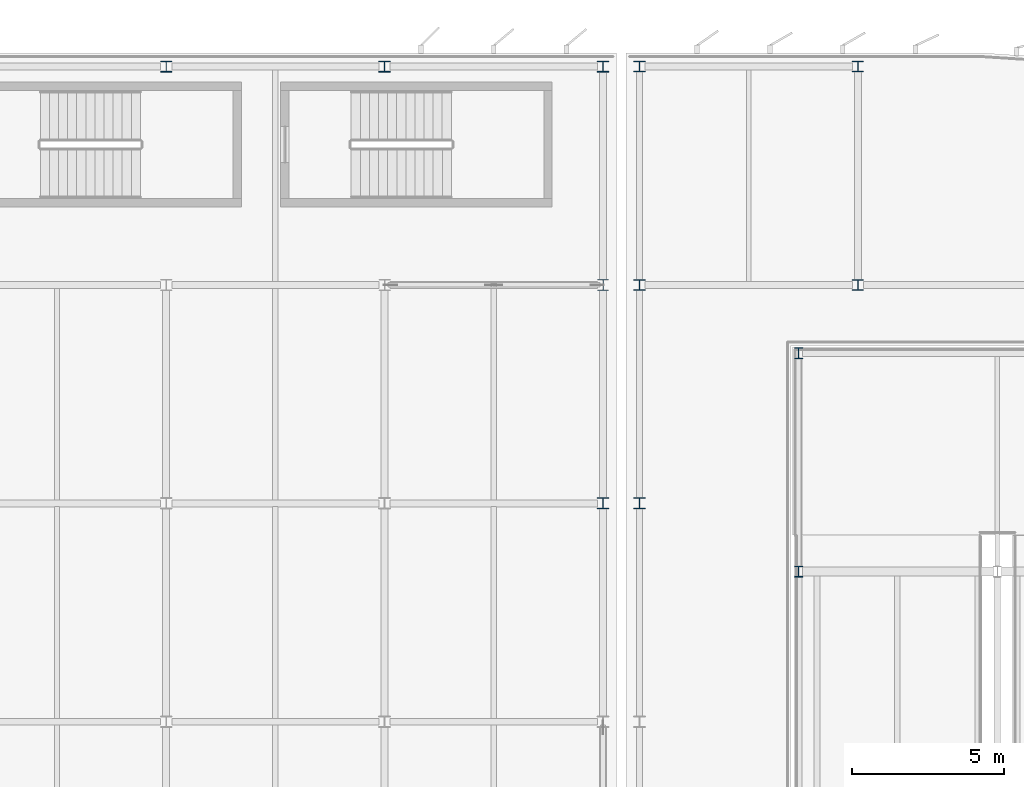
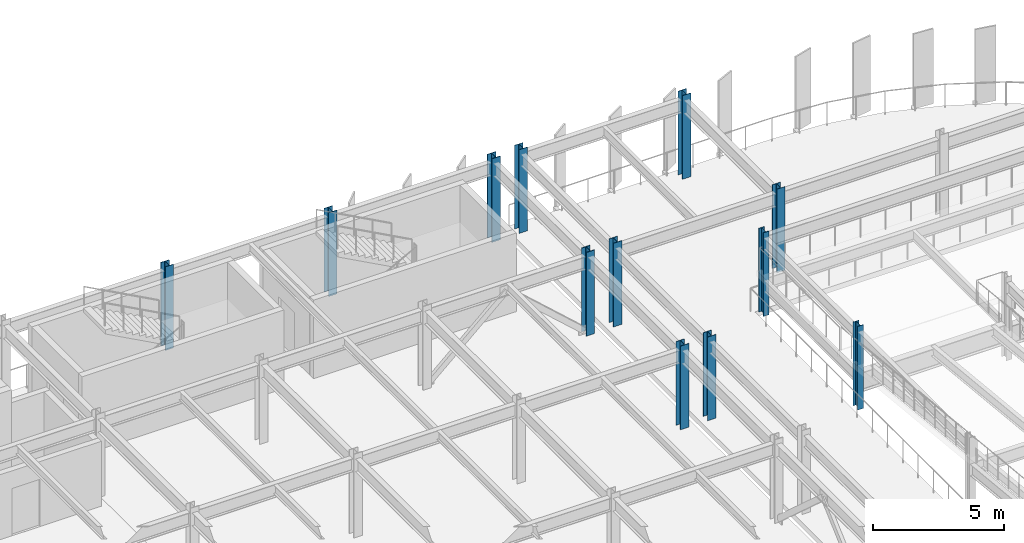
# One storey, part 8 of 52: 12 columns.
"""IFC4 building model written with IfcOpenShell, lengths in metres."""

from ifc_helpers import new_model, si_unit, direction, frame, origin, origin_2d, place, context, subcontext, project, spatial, i_section, extrude, material, material_profile, profile_set, type_object, element, save


model = new_model("IFC4")

# Units and contexts
model_context = context("Model", 3, precision=1e-05, world=origin(), true_north=direction((0.0, 1.0)))
body_context = subcontext(model_context, "Body", "Model", "MODEL_VIEW")
ifc_project = project(units=[si_unit("LENGTHUNIT", "METRE"), si_unit("AREAUNIT", "SQUARE_METRE"), si_unit("VOLUMEUNIT", "CUBIC_METRE"), si_unit("PLANEANGLEUNIT", "RADIAN"), si_unit("MASSUNIT", "GRAM", prefix="KILO")], contexts=[model_context])

# Site, building, storey
site_placement = place(None, origin())
site = spatial("IfcSite", under=ifc_project, at=site_placement, CompositionType="ELEMENT")
building_placement = place(site_placement, origin())
building = spatial("IfcBuilding", under=site, at=building_placement, Name="Vaelcorin Mobility Hub", CompositionType="ELEMENT")
storey_placement = place(building_placement, frame((0.0, 0.0, 13.199951171875)))
storey = spatial("IfcBuildingStorey", under=building, at=storey_placement, Name="L03", CompositionType="ELEMENT", Elevation=13.199951171875)

# Columns
ifc_material = material(Name="Steel ASTM A992 Grade 50", Category="steel")
ifc_material_profile_1 = material_profile(ifc_material, i_section(OverallWidth=0.37109375, OverallDepth=0.363037109375, WebThickness=0.01318359375, FlangeThickness=0.021728515625, FilletRadius=0.014892578125, at=origin_2d()), Name="W14X109")
ifc_profile_set_1 = profile_set([ifc_material_profile_1], Name="Steel ASTM A992 Grade 50")
column_type_1 = type_object("IfcColumnType", Name="COL-W14X109", PredefinedType="COLUMN", material=ifc_profile_set_1)
for number, where, z_axis, x_axis, name in (
    (1, (108.0, 120.0, 0.0), (0.0, 0.0, 1.0), (1.0, 0.0, 0.0), "Column V4-X11Y07 L03"),
    (2, (115.199951171875, 120.0, 0.0), (0.0, 0.0, 1.0), (1.0, 0.0, 0.0), "Column V4-X12Y07 L03"),
    (3, (122.39990234375, 105.60009765625, 0.0), (0.0, 0.0, 1.0), (1.0, 0.0, 0.0), "Column V4-X13Y05 L03"),
    (4, (122.39990234375, 120.0, 0.0), (0.0, 0.0, 1.0), (1.0, 0.0, 0.0), "Column V4-X13Y07 L03"),
):
    element("IfcColumn", number, at=place(storey_placement, frame(where, z_axis=z_axis, x_axis=x_axis)), inside=storey, type_object=column_type_1, Name=name, PredefinedType="COLUMN", context=body_context, shape_type="SweptSolid", body=[
        extrude(i_section(OverallWidth=0.37109375, OverallDepth=0.363037109375, WebThickness=0.01318359375, FlangeThickness=0.021728515625, FilletRadius=0.014892578125, at=origin_2d()), origin(), (0.0, 0.0, 1.0), 3.900146484375),
    ])
ifc_material_profile_2 = material_profile(ifc_material, i_section(OverallWidth=0.373046875, OverallDepth=0.373046875, WebThickness=0.016357421875, FlangeThickness=0.026123046875, FilletRadius=0.014892578125, at=origin_2d()), Name="W14X132")
ifc_profile_set_2 = profile_set([ifc_material_profile_2], Name="Steel ASTM A992 Grade 50")
column_type_2 = type_object("IfcColumnType", Name="COL-W14X132", PredefinedType="COLUMN", material=ifc_profile_set_2)
column_placement = place(storey_placement, frame((122.39990234375, 112.800048828125, 0.0), z_axis=(0.0, 0.0, 1.0), x_axis=(1.0, 0.0, 0.0)))
element("IfcColumn", 5, at=column_placement, inside=storey, type_object=column_type_2, Name="Column V4-X13Y06 L03", PredefinedType="COLUMN", context=body_context, shape_type="SweptSolid", body=[
    extrude(i_section(OverallWidth=0.373046875, OverallDepth=0.373046875, WebThickness=0.016357421875, FlangeThickness=0.026123046875, FilletRadius=0.014892578125, at=origin_2d()), origin(), (0.0, 0.0, 1.0), 3.900146484375),
])
ifc_material_profile_3 = material_profile(ifc_material, i_section(OverallWidth=0.257080078125, OverallDepth=0.363037109375, WebThickness=0.012939453125, FlangeThickness=0.021728515625, FilletRadius=0.014892578125, at=origin_2d()), Name="W14X82")
ifc_profile_set_3 = profile_set([ifc_material_profile_3], Name="Steel ASTM A992 Grade 50")
column_type_3 = type_object("IfcColumnType", Name="COL-W14X82", PredefinedType="COLUMN", material=ifc_profile_set_3)
for number, where, z_axis, x_axis, name in (
    (6, (128.85009765625, 103.35009765625, 0.0), (0.0, 0.0, 1.0), (1.0, 0.0, 0.0), "Column V2E-RDRM-WN L03"),
    (7, (128.85009765625, 110.550048828125, 0.0), (0.0, 0.0, 1.0), (1.0, 0.0, 0.0), "Column V2E-RDRM-WB L03"),
):
    element("IfcColumn", number, at=place(storey_placement, frame(where, z_axis=z_axis, x_axis=x_axis)), inside=storey, type_object=column_type_3, Name=name, PredefinedType="COLUMN", context=body_context, shape_type="SweptSolid", body=[
        extrude(i_section(OverallWidth=0.257080078125, OverallDepth=0.363037109375, WebThickness=0.012939453125, FlangeThickness=0.021728515625, FilletRadius=0.014892578125, at=origin_2d()), origin(), (0.0, 0.0, 1.0), 3.900146484375),
    ])
ifc_material_profile_4 = material_profile(ifc_material, i_section(OverallWidth=0.367919921875, OverallDepth=0.35595703125, WebThickness=0.01123046875, FlangeThickness=0.01806640625, FilletRadius=0.014892578125, at=origin_2d()), Name="W14X90")
ifc_profile_set_4 = profile_set([ifc_material_profile_4], Name="Steel ASTM A992 Grade 50")
column_type_4 = type_object("IfcColumnType", Name="COL-W14X90", PredefinedType="COLUMN", material=ifc_profile_set_4)
for number, where, z_axis, x_axis, name in (
    (8, (123.60009765625, 105.60009765625, 0.0), (0.0, 0.0, 1.0), (1.0, 0.0, 0.0), "Column V2E-G1x5 L03"),
    (9, (123.60009765625, 112.800048828125, 0.0), (0.0, 0.0, 1.0), (1.0, 0.0, 0.0), "Column V2E-G1x6 L03"),
    (10, (123.60009765625, 120.0, 0.0), (0.0, 0.0, 1.0), (1.0, 0.0, 0.0), "Column V2E-G1x7 L03"),
    (11, (130.800048828125, 112.800048828125, 0.0), (0.0, 0.0, 1.0), (1.0, 0.0, 0.0), "Column V2E-G2x6 L03"),
    (12, (130.800048828125, 120.0, 0.0), (0.0, 0.0, 1.0), (1.0, 0.0, 0.0), "Column V2E-G2x7 L03"),
):
    element("IfcColumn", number, at=place(storey_placement, frame(where, z_axis=z_axis, x_axis=x_axis)), inside=storey, type_object=column_type_4, Name=name, PredefinedType="COLUMN", context=body_context, shape_type="SweptSolid", body=[
        extrude(i_section(OverallWidth=0.367919921875, OverallDepth=0.35595703125, WebThickness=0.01123046875, FlangeThickness=0.01806640625, FilletRadius=0.014892578125, at=origin_2d()), origin(), (0.0, 0.0, 1.0), 3.900146484375),
    ])

save(model, "model.ifc")
